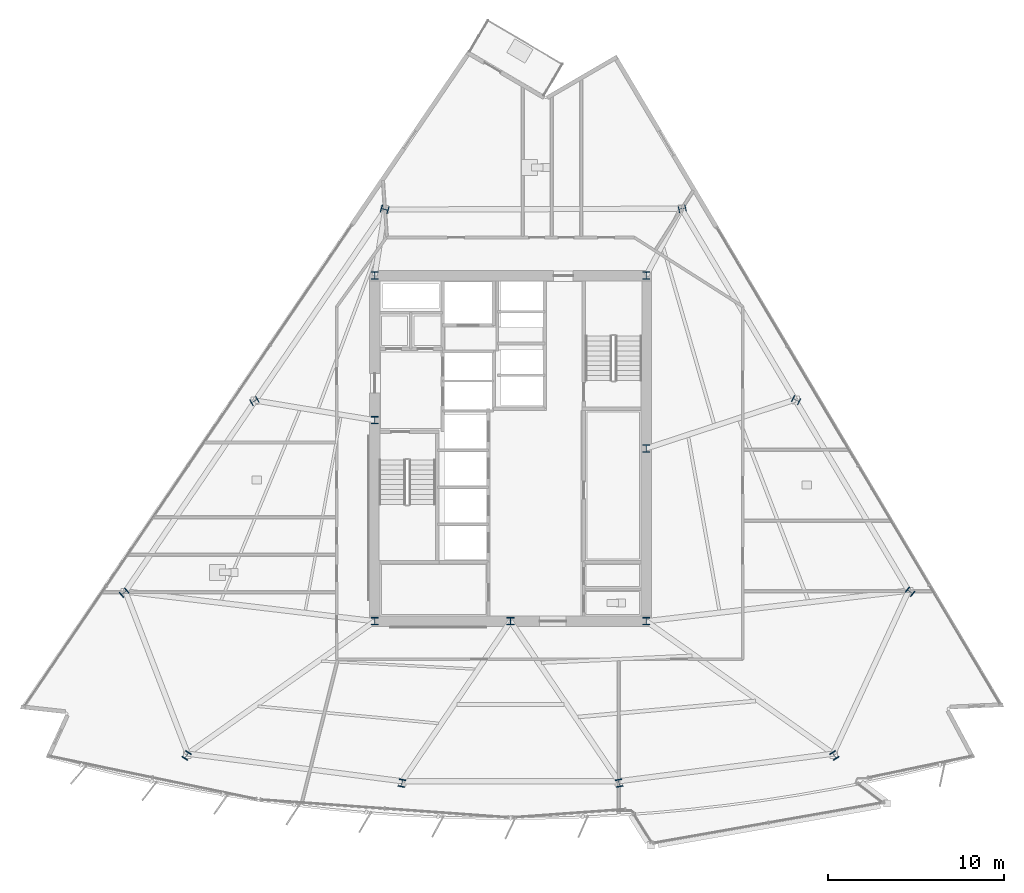
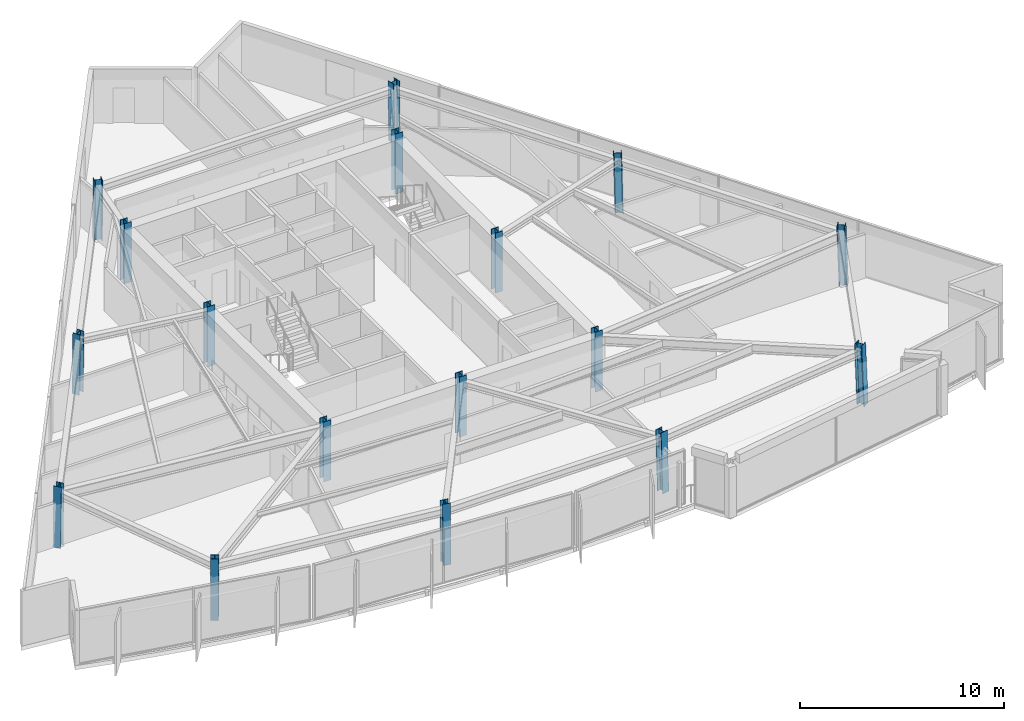
# One storey, part 1 of 15: 17 columns.
"""IFC4 building model written with IfcOpenShell, lengths in metres."""

from ifc_helpers import new_model, si_unit, direction, frame, origin, origin_2d, place, context, subcontext, project, spatial, i_section, extrude, material, material_profile, profile_set, type_object, element, save


model = new_model("IFC4")

# Units and contexts
model_context = context("Model", 3, precision=1e-05, world=origin(), true_north=direction((0.0, 1.0)))
body_context = subcontext(model_context, "Body", "Model", "MODEL_VIEW")
ifc_project = project(units=[si_unit("LENGTHUNIT", "METRE"), si_unit("AREAUNIT", "SQUARE_METRE"), si_unit("VOLUMEUNIT", "CUBIC_METRE"), si_unit("PLANEANGLEUNIT", "RADIAN"), si_unit("MASSUNIT", "GRAM", prefix="KILO")], contexts=[model_context])

# Site, building, storey
site_placement = place(None, origin())
site = spatial("IfcSite", under=ifc_project, at=site_placement, CompositionType="ELEMENT")
building_placement = place(site_placement, origin())
building = spatial("IfcBuilding", under=site, at=building_placement, Name="Savorim Split Tower", CompositionType="ELEMENT")
storey_placement = place(building_placement, frame((0.0, 0.0, 125.699951171875)))
storey = spatial("IfcBuildingStorey", under=building, at=storey_placement, Name="L33", CompositionType="ELEMENT", Elevation=125.699951171875)

# Columns
ifc_material = material(Name="Steel S460", Category="steel")
ifc_material_profile_1 = material_profile(ifc_material, i_section(OverallWidth=0.406005859375, OverallDepth=0.416015625, WebThickness=0.018798828125, FlangeThickness=0.031005859375, FilletRadius=0.014892578125, at=origin_2d()), Name="HD 400x382")
ifc_profile_set_1 = profile_set([ifc_material_profile_1], Name="Steel S460")
column_type_1 = type_object("IfcColumnType", Name="COL-HD-382", PredefinedType="COLUMN", material=ifc_profile_set_1)
column_1_placement = place(storey_placement, frame((-18.37890625, -17.032958984375, 0.005615234375), z_axis=(0.020596292833, 0.033511459955, 0.999226087917), x_axis=(-0.851954850327, 0.523615252838, 0.0)))
element("IfcColumn", 1, at=column_1_placement, inside=storey, type_object=column_type_1, Name="L33 Tapered Perimeter Column PC-S1", PredefinedType="COLUMN", context=body_context, shape_type="SweptSolid", body=[
    extrude(i_section(OverallWidth=0.406005859375, OverallDepth=0.416015625, WebThickness=0.018798828125, FlangeThickness=0.031005859375, FilletRadius=0.014892578125, at=origin_2d()), origin(), (0.0, 0.0, 1.0), 3.591552734375),
])
for number, where, z_axis, x_axis, name in (
    (2, (-6.159912109375, -18.601806640625, 0.005615234375), (0.006934288159, 0.035283289748, 0.999353293441), (-0.981229659911, 0.192842823335, 0.0), "L33 Tapered Perimeter Column PC-S2"),
    (3, (6.159912109375, -18.601806640625, 0.005615234375), (-0.006934288159, 0.035283289748, 0.999353293441), (-0.981229659911, -0.192842823335, 0.0), "L33 Tapered Perimeter Column PC-S3"),
):
    element("IfcColumn", number, at=place(storey_placement, frame(where, z_axis=z_axis, x_axis=x_axis)), inside=storey, type_object=column_type_1, Name=name, PredefinedType="COLUMN", context=body_context, shape_type="SweptSolid", body=[
        extrude(i_section(OverallWidth=0.406005859375, OverallDepth=0.416015625, WebThickness=0.018798828125, FlangeThickness=0.031005859375, FilletRadius=0.014892578125, at=origin_2d()), origin(), (0.0, 0.0, 1.0), 3.59130859375),
    ])
column_2_placement = place(storey_placement, frame((18.37890625, -17.032958984375, 0.005615234375), z_axis=(-0.020596292833, 0.033511459955, 0.999226087917), x_axis=(-0.851954850327, -0.523615252838, 0.0)))
element("IfcColumn", 4, at=column_2_placement, inside=storey, type_object=column_type_1, Name="L33 Tapered Perimeter Column PC-S4", PredefinedType="COLUMN", context=body_context, shape_type="SweptSolid", body=[
    extrude(i_section(OverallWidth=0.406005859375, OverallDepth=0.416015625, WebThickness=0.018798828125, FlangeThickness=0.031005859375, FilletRadius=0.014892578125, at=origin_2d()), origin(), (0.0, 0.0, 1.0), 3.591552734375),
])
column_3_placement = place(storey_placement, frame((22.675537109375, -7.743408203125, 0.005615234375), z_axis=(-0.026107436898, 0.021620221181, 0.999425318758), x_axis=(-0.637813971185, -0.770190455771, 0.0)))
element("IfcColumn", 5, at=column_3_placement, inside=storey, type_object=column_type_1, Name="L33 Tapered Perimeter Column PC-E1", PredefinedType="COLUMN", context=body_context, shape_type="SweptSolid", body=[
    extrude(i_section(OverallWidth=0.406005859375, OverallDepth=0.416015625, WebThickness=0.018798828125, FlangeThickness=0.031005859375, FilletRadius=0.014892578125, at=origin_2d()), origin(), (0.0, 0.0, 1.0), 3.5908203125),
])
column_4_placement = place(storey_placement, frame((16.2099609375, 3.1298828125, 0.005615234375), z_axis=(-0.018907326549, 0.00952167524, 0.999775900241), x_axis=(-0.449781931574, -0.893138406984, 0.0)))
element("IfcColumn", 6, at=column_4_placement, inside=storey, type_object=column_type_1, Name="L33 Tapered Perimeter Column PC-E2", PredefinedType="COLUMN", context=body_context, shape_type="SweptSolid", body=[
    extrude(i_section(OverallWidth=0.406005859375, OverallDepth=0.416015625, WebThickness=0.018798828125, FlangeThickness=0.031005859375, FilletRadius=0.014892578125, at=origin_2d()), origin(), (0.0, 0.0, 1.0), 3.589599609375),
])
for number, where, z_axis, x_axis, name in (
    (7, (9.744384765625, 14.003173828125, 0.005615234375), (-0.011699842352, -0.002516826552, 0.999928387072), (0.210305364179, -0.977635746993, 0.0), "L33 Tapered Perimeter Column PC-E3"),
    (8, (-7.13671875, 13.954345703125, 0.005615234375), (0.008843163607, -0.002516900411, 0.999957730942), (0.273743828055, 0.961802639112, 0.0), "L33 Tapered Perimeter Column PC-W1"),
):
    element("IfcColumn", number, at=place(storey_placement, frame(where, z_axis=z_axis, x_axis=x_axis)), inside=storey, type_object=column_type_1, Name=name, PredefinedType="COLUMN", context=body_context, shape_type="SweptSolid", body=[
        extrude(i_section(OverallWidth=0.406005859375, OverallDepth=0.416015625, WebThickness=0.018798828125, FlangeThickness=0.031005859375, FilletRadius=0.014892578125, at=origin_2d()), origin(), (0.0, 0.0, 1.0), 3.589111328125),
    ])
column_5_placement = place(storey_placement, frame((-14.533447265625, 3.0810546875, 0.005615234375), z_axis=(0.017003572908, 0.009522000828, 0.999810086971), x_axis=(-0.488603368932, 0.87250601595, 0.0)))
element("IfcColumn", 9, at=column_5_placement, inside=storey, type_object=column_type_1, Name="L33 Tapered Perimeter Column PC-W2", PredefinedType="COLUMN", context=body_context, shape_type="SweptSolid", body=[
    extrude(i_section(OverallWidth=0.406005859375, OverallDepth=0.416015625, WebThickness=0.018798828125, FlangeThickness=0.031005859375, FilletRadius=0.014892578125, at=origin_2d()), origin(), (0.0, 0.0, 1.0), 3.589599609375),
])
column_6_placement = place(storey_placement, frame((-21.930419921875, -7.792236328125, 0.005615234375), z_axis=(0.025224163578, 0.021620711639, 0.999447990843), x_axis=(-0.650791373456, 0.759256602365, 0.0)))
element("IfcColumn", 10, at=column_6_placement, inside=storey, type_object=column_type_1, Name="L33 Tapered Perimeter Column PC-W3", PredefinedType="COLUMN", context=body_context, shape_type="SweptSolid", body=[
    extrude(i_section(OverallWidth=0.406005859375, OverallDepth=0.416015625, WebThickness=0.018798828125, FlangeThickness=0.031005859375, FilletRadius=0.014892578125, at=origin_2d()), origin(), (0.0, 0.0, 1.0), 3.5908203125),
])
ifc_material_profile_2 = material_profile(ifc_material, i_section(OverallWidth=0.408935546875, OverallDepth=0.425048828125, WebThickness=0.020751953125, FlangeThickness=0.033935546875, FilletRadius=0.014892578125, at=origin_2d()), Name="HD 400x421")
ifc_profile_set_2 = profile_set([ifc_material_profile_2], Name="Steel S460")
column_type_2 = type_object("IfcColumnType", Name="COL-HD-421", PredefinedType="COLUMN", material=ifc_profile_set_2)
for number, where, z_axis, x_axis, name in (
    (11, (-7.699951171875, -9.39990234375, 0.0), (0.0, 0.0, 1.0), (1.0, 0.0, 0.0), "L33 Core Structural Column TC-C1"),
    (12, (7.699951171875, -9.39990234375, 0.0), (0.0, 0.0, 1.0), (1.0, 0.0, 0.0), "L33 Core Structural Column TC-C2"),
    (13, (7.699951171875, 10.199951171875, 0.0), (0.0, 0.0, 1.0), (1.0, 0.0, 0.0), "L33 Core Structural Column TC-C3"),
    (14, (-7.699951171875, 10.199951171875, 0.0), (0.0, 0.0, 1.0), (1.0, 0.0, 0.0), "L33 Core Structural Column TC-C4"),
    (15, (0.0, -9.39990234375, 0.0), (0.0, 0.0, 1.0), (1.0, 0.0, 0.0), "L33 Core Structural Column TC-C5"),
    (16, (7.699951171875, 0.39990234375, 0.0), (0.0, 0.0, 1.0), (1.0, 0.0, 0.0), "L33 Core Structural Column TC-C6"),
    (17, (-7.699951171875, 2.0, 0.0), (0.0, 0.0, 1.0), (1.0, 0.0, 0.0), "L33 Core Structural Column TC-C7"),
):
    element("IfcColumn", number, at=place(storey_placement, frame(where, z_axis=z_axis, x_axis=x_axis)), inside=storey, type_object=column_type_2, Name=name, PredefinedType="COLUMN", context=body_context, shape_type="SweptSolid", body=[
        extrude(i_section(OverallWidth=0.408935546875, OverallDepth=0.425048828125, WebThickness=0.020751953125, FlangeThickness=0.033935546875, FilletRadius=0.014892578125, at=origin_2d()), origin(), (0.0, 0.0, 1.0), 3.60009765625),
    ])

save(model, "model.ifc")
